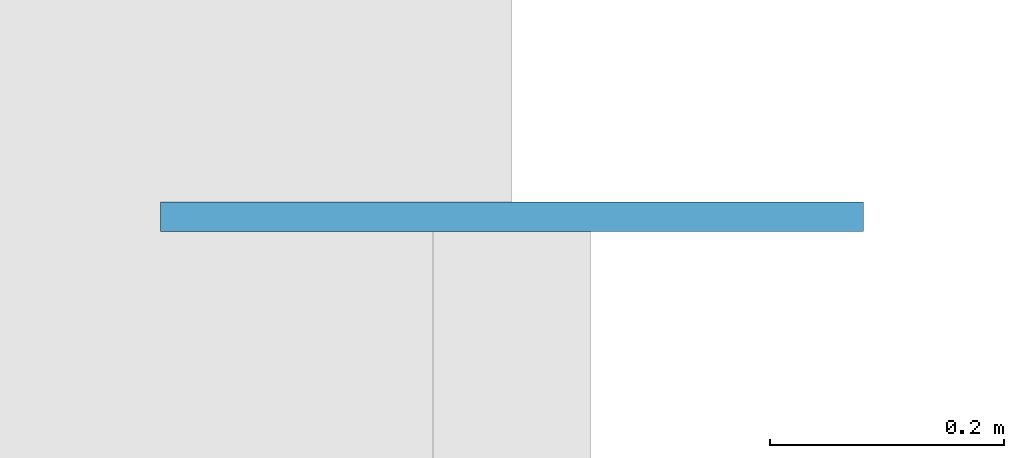
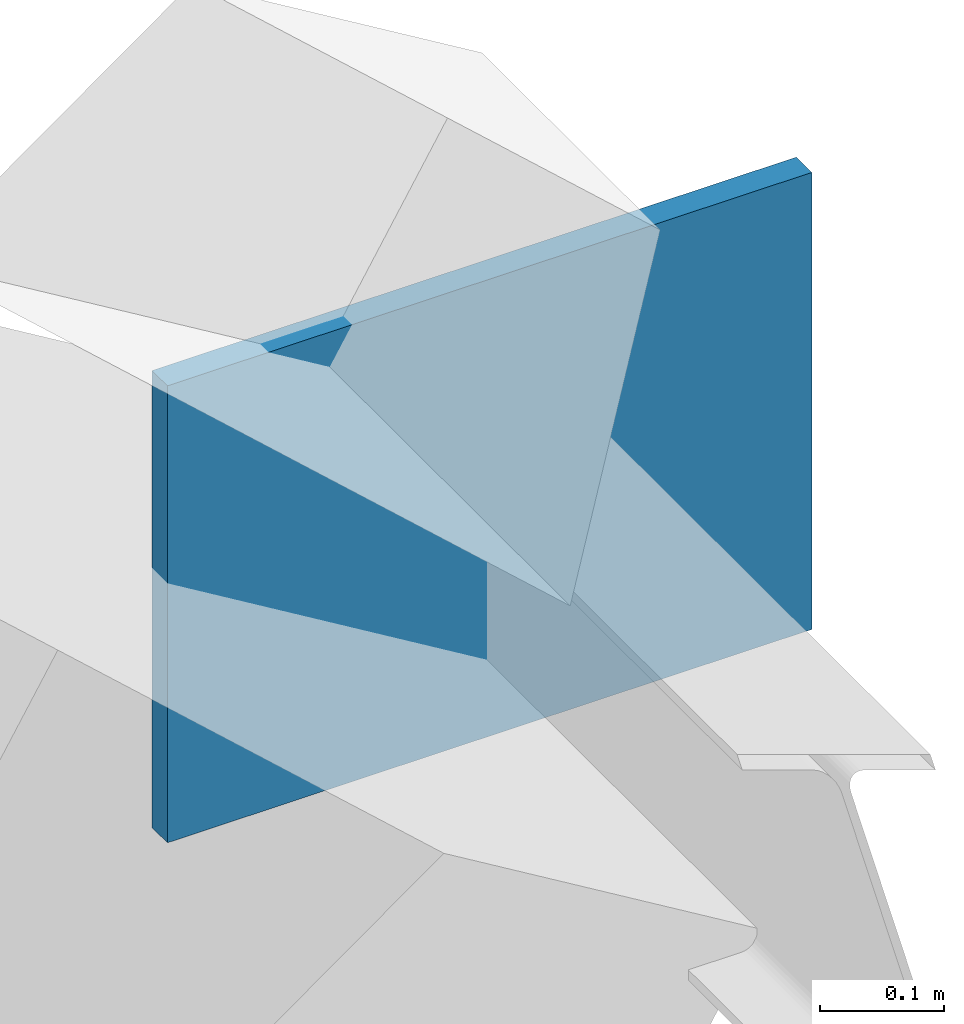
# One storey, part 22 of 30: 1 plate.
"""IFC4 building model written with IfcOpenShell, lengths in metres."""

from ifc_helpers import new_model, si_unit, direction, frame, origin, origin_2d, place, context, subcontext, project, spatial, rectangle, extrude, material, layer, layer_set, type_object, element, save


model = new_model("IFC4")

# Units and contexts
model_context = context("Model", 3, precision=1e-05, world=origin(), true_north=direction((0.0, 1.0)))
body_context = subcontext(model_context, "Body", "Model", "MODEL_VIEW")
ifc_project = project(units=[si_unit("LENGTHUNIT", "METRE"), si_unit("AREAUNIT", "SQUARE_METRE"), si_unit("VOLUMEUNIT", "CUBIC_METRE"), si_unit("PLANEANGLEUNIT", "RADIAN"), si_unit("MASSUNIT", "GRAM", prefix="KILO")], contexts=[model_context])

# Site, building, storey
site_placement = place(None, origin())
site = spatial("IfcSite", under=ifc_project, at=site_placement, CompositionType="ELEMENT")
building_placement = place(site_placement, origin())
building = spatial("IfcBuilding", under=site, at=building_placement, Name="Ornek Quay Market", CompositionType="ELEMENT")
storey_placement = place(building_placement, frame((0.0, 0.0, 12.0)))
storey = spatial("IfcBuildingStorey", under=building, at=storey_placement, Name="L03", CompositionType="ELEMENT", Elevation=12.0)

# Plate
ifc_material = material(Name="Steel S355", Category="steel")
ifc_layer = layer(ifc_material, 0.02490234375, Name="Steel S355", Category="steel")
ifc_layer_set = layer_set([ifc_layer], Name="Steel S355")
plate_type = type_object("IfcPlateType", Name="PL-GUS-600x450x25", PredefinedType="USERDEFINED", material=ifc_layer_set)
plate_placement = place(storey_placement, frame((117.0, 92.0, -3.0751953125), z_axis=(0.0, 0.0, 1.0), x_axis=(1.0, 0.0, 0.0)))
element("IfcPlate", 1, at=plate_placement, inside=storey, type_object=plate_type, Name="Vault gusset plate K-16", ObjectType="GUSSET PLATE", PredefinedType="USERDEFINED", context=body_context, shape_type="SweptSolid", body=[
    extrude(rectangle(XDim=0.60009765625, YDim=0.02490234375, at=origin_2d()), origin(), (0.0, 0.0, 1.0), 0.449951171875),
])

save(model, "model.ifc")
